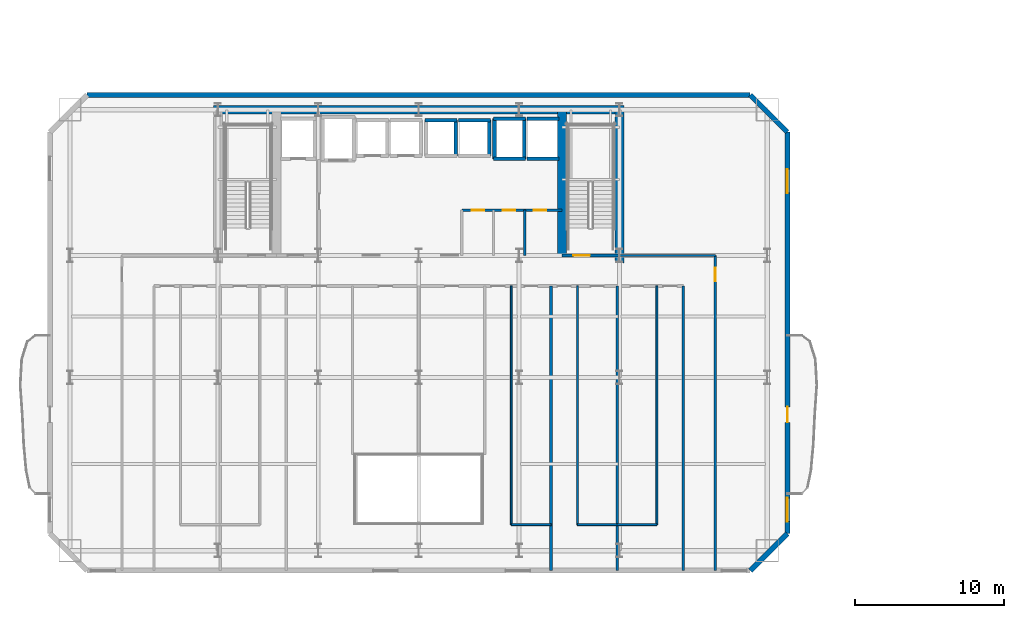
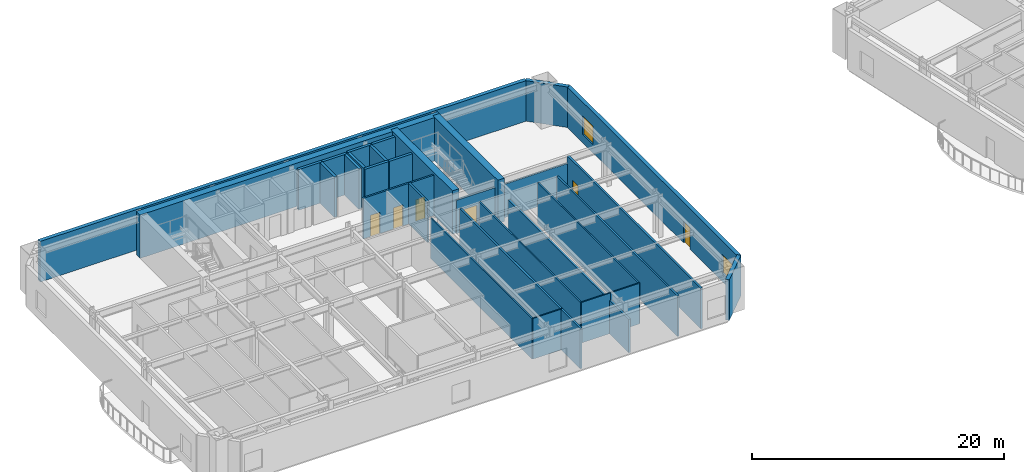
# One storey, part 7 of 15: 31 walls, 6 doors, 2 windows, 8 openings.
"""IFC4 building model written with IfcOpenShell, lengths in metres."""

import ifcopenshell
import ifcopenshell.guid

model = None  # the IFC model being written
_history = None  # IfcOwnerHistory: only IFC2X3 demands one
_inside = {}  # id of a spatial element -> (the spatial element, [elements in it])
_under = {}  # id of a project, library or spatial element -> (it, [spatial elements below it])
_declared = {}  # id of a project -> (the project, [libraries it declares])
_typed = {}  # id of a type object -> (the type object, [elements of that type])
_made_of = {}  # id of a material, layer set ... -> (it, [elements and type objects made of it])


def new_model(schema):
    """Start an empty IFC model of exactly this schema.

    Asked for "IFC4X3", IfcOpenShell would pick the latest addendum, in which some entities
    have other attributes; the version numbers below select the first issue.
    IFC2X3 requires an IfcOwnerHistory on every rooted entity: one is made here for all.
    """
    global model, _history
    if schema == "IFC4X3":
        model = ifcopenshell.file(schema_version=(4, 3, 0, 0))
    else:
        model = ifcopenshell.file(schema=schema)
    _inside.clear()
    _under.clear()
    _declared.clear()
    _typed.clear()
    _made_of.clear()
    _history = None
    if model.schema == "IFC2X3":
        org = make("IfcOrganization", Name="unknown")
        user = make(
            "IfcPersonAndOrganization",
            ThePerson=make("IfcPerson", FamilyName="unknown"),
            TheOrganization=org,
        )
        app = make(
            "IfcApplication",
            ApplicationDeveloper=org,
            Version="unknown",
            ApplicationFullName="unknown",
            ApplicationIdentifier="unknown",
        )
        _history = make(
            "IfcOwnerHistory",
            OwningUser=user,
            OwningApplication=app,
            ChangeAction="ADDED",
            CreationDate=0,
        )
    return model


def make(cls, **values):
    """One entity of the class cls with the attributes given. An attribute that is None is left unset."""
    return model.create_entity(
        cls, **{name: value for name, value in values.items() if value is not None}
    )


def rooted(cls, **values):
    """An entity with a GlobalId (a new one), such as an element, a storey or a relation."""
    return make(cls, GlobalId=ifcopenshell.guid.new(), OwnerHistory=_history, **values)


def si_unit(unit_type, name, prefix=None):
    """IfcSIUnit, for example si_unit("LENGTHUNIT", "METRE", prefix="MILLI")."""
    return make("IfcSIUnit", UnitType=unit_type, Prefix=prefix, Name=name)


def assignment(units):
    """IfcUnitAssignment: the units of a project."""
    return None if units is None else make("IfcUnitAssignment", Units=units)


def point(xyz):
    """IfcCartesianPoint."""
    return None if xyz is None else make("IfcCartesianPoint", Coordinates=xyz)


def direction(xyz):
    """IfcDirection."""
    return None if xyz is None else make("IfcDirection", DirectionRatios=xyz)


def frame(location, z_axis=None, x_axis=None):
    """IfcAxis2Placement3D, a coordinate frame: its origin and axes. An axis left out is left unset."""
    return make(
        "IfcAxis2Placement3D",
        Location=point(location),
        Axis=direction(z_axis),
        RefDirection=direction(x_axis),
    )


def frame_2d(location, x_axis=None):
    """IfcAxis2Placement2D, a coordinate frame in the plane: its origin and x axis."""
    return make(
        "IfcAxis2Placement2D", Location=point(location), RefDirection=direction(x_axis)
    )


def origin():
    """The frame at (0, 0, 0) with its axes left unset."""
    return frame((0.0, 0.0, 0.0))


def place(relative_to, where):
    """IfcLocalPlacement: puts the frame where relative to a parent placement (None: the world)."""
    return make(
        "IfcLocalPlacement", PlacementRelTo=relative_to, RelativePlacement=where
    )


def context(
    kind, dimensions, precision=None, world=None, true_north=None, identifier=None
):
    """IfcGeometricRepresentationContext, for example the 3D "Model" context."""
    return make(
        "IfcGeometricRepresentationContext",
        ContextIdentifier=identifier,
        ContextType=kind,
        CoordinateSpaceDimension=dimensions,
        Precision=precision,
        WorldCoordinateSystem=world,
        TrueNorth=true_north,
    )


def subcontext(parent, identifier, kind, view, scale=None):
    """IfcGeometricRepresentationSubContext, for example "Body" below "Model"."""
    return make(
        "IfcGeometricRepresentationSubContext",
        ContextIdentifier=identifier,
        ContextType=kind,
        ParentContext=parent,
        TargetScale=scale,
        TargetView=view,
    )


def project(units=None, contexts=None):
    """IfcProject with its units and contexts."""
    return rooted(
        "IfcProject",
        Name="project",
        RepresentationContexts=contexts,
        UnitsInContext=assignment(units),
    )


def spatial(cls, under=None, at=None, **own):
    """A site, building, storey or space (cls), placed at a placement, below another one or the project."""
    s = rooted(cls, ObjectPlacement=at, **own)
    if under is not None:
        _under.setdefault(under.id(), (under, []))[1].append(s)
    return s


def profile(cls, at=None, kind="AREA", **sizes):
    """A parametric profile (cls). Its sizes go by their IFC names, for example OverallWidth=200.0."""
    return make(cls, ProfileType=kind, Position=at, **sizes)


def rectangle(**sizes):
    """IfcRectangleProfileDef."""
    return profile("IfcRectangleProfileDef", **sizes)


def extrude(swept, where, along, depth):
    """IfcExtrudedAreaSolid: the profile swept, set in the frame where, extruded along a direction by depth."""
    return make(
        "IfcExtrudedAreaSolid",
        SweptArea=swept,
        Position=where,
        ExtrudedDirection=direction(along),
        Depth=depth,
    )


def shape(context_of_items, identifier, shape_type, items):
    """IfcShapeRepresentation: the items that make up one representation, for example the "Body"."""
    return make(
        "IfcShapeRepresentation",
        ContextOfItems=context_of_items,
        RepresentationIdentifier=identifier,
        RepresentationType=shape_type,
        Items=items,
    )


def material(Name=None, Category=None):
    """IfcMaterial."""
    return make("IfcMaterial", Name=Name, Category=Category)


def layer(
    of_material, thickness, ventilated=None, Name=None, Category=None, Priority=None
):
    """IfcMaterialLayer: one layer of a wall or slab, of a material (None: an air gap)."""
    return make(
        "IfcMaterialLayer",
        Material=of_material,
        LayerThickness=thickness,
        IsVentilated=ventilated,
        Name=Name,
        Category=Category,
        Priority=Priority,
    )


def layer_set(layers, Name=None):
    """IfcMaterialLayerSet."""
    return make("IfcMaterialLayerSet", MaterialLayers=layers, LayerSetName=Name)


def made_of(thing, what):
    """Note that an element or type object is made of a material, layer set ...; save() writes the relation."""
    if what is not None:
        _made_of.setdefault(what.id(), (what, []))[1].append(thing)
    return thing


def type_object(cls, material=None, **own):
    """A type object (cls), such as IfcWallType, which elements share."""
    return made_of(rooted(cls, **own), material)


def element(
    cls,
    number,
    at=None,
    inside=None,
    cuts=None,
    type_object=None,
    material=None,
    context=None,
    identifier="Body",
    shape_type=None,
    held_by="IfcProductDefinitionShape",
    body=None,
    shapes=None,
    **own,
):
    """One element of the class cls, such as IfcWall. Its Tag is "e" and its number.

    at: its placement. inside: the storey or other place that contains it. cuts: it is an
    opening in that element (IfcRelVoidsElement). A single representation is given by context,
    identifier, shape_type and body (its items); several are given by shapes. held_by: the class
    of the entity that holds the representations. save() writes the other relations.
    """
    e = rooted(cls, Tag="e%d" % number, ObjectPlacement=at, **own)
    if body is not None:
        shapes = [shape(context, identifier, shape_type, body)]
    if shapes is not None:
        e.Representation = make(held_by, Representations=shapes)
    if inside is not None:
        _inside.setdefault(inside.id(), (inside, []))[1].append(e)
    if cuts is not None:
        rooted(
            "IfcRelVoidsElement", RelatingBuildingElement=cuts, RelatedOpeningElement=e
        )
    if type_object is not None:
        _typed.setdefault(type_object.id(), (type_object, []))[1].append(e)
    return made_of(e, material)


def fill(opening, filler):
    """IfcRelFillsElement: the door or window that sits in an opening."""
    return rooted(
        "IfcRelFillsElement",
        RelatingOpeningElement=opening,
        RelatedBuildingElement=filler,
    )


def aggregate(whole, parts):
    """IfcRelAggregates: a whole, such as a stair, and the parts it consists of."""
    return rooted("IfcRelAggregates", RelatingObject=whole, RelatedObjects=parts)


def save(model, path):
    """Write the relations noted so far, then the file.

    IfcRelAggregates (storeys below a building ...), IfcRelContainedInSpatialStructure (elements
    in a storey), IfcRelDefinesByType, IfcRelAssociatesMaterial and IfcRelDeclares: one each for
    every whole, place, type object, material and project.
    """
    for whole, parts in _under.values():
        aggregate(whole, parts)
    for where, things in _inside.values():
        rooted(
            "IfcRelContainedInSpatialStructure",
            RelatedElements=things,
            RelatingStructure=where,
        )
    for kind, things in _typed.values():
        rooted("IfcRelDefinesByType", RelatedObjects=things, RelatingType=kind)
    for what, things in _made_of.values():
        rooted("IfcRelAssociatesMaterial", RelatedObjects=things, RelatingMaterial=what)
    for by, libraries in _declared.values():
        rooted("IfcRelDeclares", RelatingContext=by, RelatedDefinitions=libraries)
    model.write(path)


model = new_model("IFC4")

# Units and contexts
model_context = context("Model", 3, precision=1e-05, world=origin(), true_north=direction((0.0, 1.0)))
body_context = subcontext(model_context, "Body", "Model", "MODEL_VIEW")
ifc_project = project(units=[si_unit("LENGTHUNIT", "METRE"), si_unit("AREAUNIT", "SQUARE_METRE"), si_unit("VOLUMEUNIT", "CUBIC_METRE"), si_unit("PLANEANGLEUNIT", "RADIAN"), si_unit("MASSUNIT", "GRAM", prefix="KILO")], contexts=[model_context])

# Site, building, storey
site_placement = place(None, origin())
site = spatial("IfcSite", under=ifc_project, at=site_placement, CompositionType="ELEMENT")
building_placement = place(site_placement, origin())
building = spatial("IfcBuilding", under=site, at=building_placement, Name="Haevon Station Towers", CompositionType="ELEMENT")
storey_placement = place(building_placement, frame((0.0, 0.0, 73.5)))
storey = spatial("IfcBuildingStorey", under=building, at=storey_placement, Name="L19", CompositionType="ELEMENT", Elevation=73.5)

# Wall, opening, door
ifc_material_1 = material(Name="Gypsum board on steel stud", Category="steel")
ifc_layer_1 = layer(ifc_material_1, 0.179931640625)
ifc_layer_set_1 = layer_set([ifc_layer_1], Name="Gypsum board on steel stud")
wall_type_1 = type_object("IfcWallType", Name="WL-ACU180", PredefinedType="PARTITIONING", material=ifc_layer_set_1)
wall_1_placement = place(storey_placement, frame((57.449951171875, 17.0, 0.0), z_axis=(0.0, 0.0, 1.0), x_axis=(0.0, 1.0, 0.0)))
wall_1 = element("IfcWall", 1, at=wall_1_placement, inside=storey, type_object=wall_type_1, Name="WL-T1PT-L19-06", PredefinedType="PARTITIONING", context=body_context, shape_type="SweptSolid", body=[
    extrude(rectangle(XDim=21.199951171875, YDim=0.179931640625, at=frame_2d((10.60009765625, 0.0))), origin(), (0.0, 0.0, 1.0), 3.929931640625),
])
opening_1_placement = place(wall_1_placement, frame((19.469970703125, 0.0, 0.0)))
opening_1 = element("IfcOpeningElement", 2, at=opening_1_placement, cuts=wall_1, Name="Opening DR-WL-T1PT-L19-06-01", PredefinedType="OPENING", context=body_context, shape_type="SweptSolid", body=[
    extrude(rectangle(XDim=0.89990234375, YDim=2.050048828125, at=frame_2d((0.449951171875, 1.02490234375))), frame((0.0, 0.099853515625, 0.0), z_axis=(0.0, -1.0, 0.0), x_axis=(1.0, 0.0, 0.0)), (0.0, 0.0, 1.0), 0.199951171875),
])
ifc_material_2 = material(Name="Engineered oak timber", Category="wood")
door_type_1 = type_object("IfcDoorType", Name="DR-INT-900", OperationType="NOTDEFINED", PredefinedType="DOOR", material=ifc_material_2)
door_1_placement = place(opening_1_placement, origin())
door_1 = element("IfcDoor", 3, at=door_1_placement, inside=storey, type_object=door_type_1, Name="L19 Tower 1 Room Door 6-1", OperationType="SINGLE_SWING_LEFT", OverallHeight=2.050048828125, OverallWidth=0.89990234375, PredefinedType="DOOR", context=body_context, shape_type="SweptSolid", body=[
    extrude(rectangle(XDim=0.89990234375, YDim=2.050048828125, at=frame_2d((0.449951171875, 1.02490234375))), frame((0.0, 0.02490234375, 0.0), z_axis=(0.0, -1.0, 0.0), x_axis=(1.0, 0.0, 0.0)), (0.0, 0.0, 1.0), 0.050048828125),
])
fill(opening_1, door_1)

# Walls
wall_2_placement = place(storey_placement, frame((46.39990234375, 17.0, 0.0), z_axis=(0.0, 0.0, 1.0), x_axis=(0.0, 1.0, 0.0)))
element("IfcWall", 4, at=wall_2_placement, inside=storey, type_object=wall_type_1, Name="WL-T1PT-L19-24", PredefinedType="PARTITIONING", context=body_context, shape_type="SweptSolid", body=[
    extrude(rectangle(XDim=19.14990234375, YDim=0.179931640625, at=frame_2d((9.574951171875, 0.0))), origin(), (0.0, 0.0, 1.0), 3.929931640625),
])
wall_3_placement = place(storey_placement, frame((50.85009765625, 17.0, 0.0), z_axis=(0.0, 0.0, 1.0), x_axis=(0.0, 1.0, 0.0)))
element("IfcWall", 5, at=wall_3_placement, inside=storey, type_object=wall_type_1, Name="WL-T1PT-L19-27", PredefinedType="PARTITIONING", context=body_context, shape_type="SweptSolid", body=[
    extrude(rectangle(XDim=19.14990234375, YDim=0.179931640625, at=frame_2d((9.574951171875, 0.0))), origin(), (0.0, 0.0, 1.0), 3.22998046875),
])

# Wall, opening, door
ifc_layer_2 = layer(ifc_material_1, 0.199951171875)
ifc_layer_set_2 = layer_set([ifc_layer_2], Name="Gypsum board on steel stud")
wall_type_2 = type_object("IfcWallType", Name="WL-COR200", PredefinedType="PARTITIONING", material=ifc_layer_set_2)
wall_4_placement = place(storey_placement, frame((47.14990234375, 38.199951171875, 0.0), z_axis=(0.0, 0.0, 1.0), x_axis=(1.0, 0.0, 0.0)))
wall_4 = element("IfcWall", 6, at=wall_4_placement, inside=storey, type_object=wall_type_2, Name="WL-ST-ST2-L19", PredefinedType="PARTITIONING", context=body_context, shape_type="SweptSolid", body=[
    extrude(rectangle(XDim=3.85009765625, YDim=0.199951171875, at=frame_2d((1.925048828125, 0.0))), origin(), (0.0, 0.0, 1.0), 3.22998046875),
])
opening_2_placement = place(wall_4_placement, frame((0.75, 0.0, 0.0)))
opening_2 = element("IfcOpeningElement", 7, at=opening_2_placement, cuts=wall_4, Name="Opening DR-ST-ST2-L19", PredefinedType="OPENING", context=body_context, shape_type="SweptSolid", body=[
    extrude(rectangle(XDim=1.1201171875, YDim=2.10009765625, at=frame_2d((0.56005859375, 1.050048828125))), frame((0.0, 0.10986328125, 0.0), z_axis=(0.0, -1.0, 0.0), x_axis=(1.0, 0.0, 0.0)), (0.0, 0.0, 1.0), 0.219970703125),
])
door_type_2 = type_object("IfcDoorType", Name="DR-ST-1120", OperationType="NOTDEFINED", PredefinedType="DOOR", material=ifc_material_2)
door_2_placement = place(opening_2_placement, origin())
door_2 = element("IfcDoor", 8, at=door_2_placement, inside=storey, type_object=door_type_2, Name="L19 Escape Stair ST2 Fire Door", OperationType="SINGLE_SWING_RIGHT", OverallHeight=2.10009765625, OverallWidth=1.1201171875, PredefinedType="DOOR", context=body_context, shape_type="SweptSolid", body=[
    extrude(rectangle(XDim=1.1201171875, YDim=2.10009765625, at=frame_2d((0.56005859375, 1.050048828125))), frame((0.0, 0.02490234375, 0.0), z_axis=(0.0, -1.0, 0.0), x_axis=(1.0, 0.0, 0.0)), (0.0, 0.0, 1.0), 0.050048828125),
])
fill(opening_2, door_2)

# Walls
ifc_material_3 = material(Name="Concrete C60/75", Category="concrete")
ifc_layer_3 = layer(ifc_material_3, 0.60009765625)
ifc_layer_set_3 = layer_set([ifc_layer_3], Name="Concrete C60/75")
wall_type_3 = type_object("IfcWallType", Name="WL-CR600", PredefinedType="SHEAR", material=ifc_layer_set_3)
wall_5_placement = place(storey_placement, frame((23.699951171875, 48.0, 0.0), z_axis=(0.0, 0.0, 1.0), x_axis=(1.0, 0.0, 0.0)))
element("IfcWall", 9, at=wall_5_placement, inside=storey, type_object=wall_type_3, Name="WL-T1CR-L19-N", PredefinedType="SHEAR", context=body_context, shape_type="SweptSolid", body=[
    extrude(rectangle(XDim=27.60009765625, YDim=0.60009765625, at=frame_2d((13.800048828125, 0.0))), origin(), (0.0, 0.0, 1.0), 4.199951171875),
])
wall_6_placement = place(storey_placement, frame((51.0, 37.679931640625, 0.0), z_axis=(0.0, 0.0, 1.0), x_axis=(0.0, 1.0, 0.0)))
element("IfcWall", 10, at=wall_6_placement, inside=storey, type_object=wall_type_3, Name="WL-T1CR-L19-E", PredefinedType="SHEAR", context=body_context, shape_type="SweptSolid", body=[
    extrude(rectangle(XDim=10.320068359375, YDim=0.60009765625, at=frame_2d((5.16015625, 0.0))), origin(), (0.0, 0.0, 1.0), 4.199951171875),
])
wall_7_placement = place(storey_placement, frame((47.14990234375, 38.199951171875, 0.0), z_axis=(0.0, 0.0, 1.0), x_axis=(0.0, 1.0, 0.0)))
element("IfcWall", 11, at=wall_7_placement, inside=storey, type_object=wall_type_3, Name="WL-T1CR-L19-M2", PredefinedType="SHEAR", context=body_context, shape_type="SweptSolid", body=[
    extrude(rectangle(XDim=9.800048828125, YDim=0.60009765625, at=frame_2d((4.89990234375, 0.0))), origin(), (0.0, 0.0, 1.0), 4.199951171875),
])
ifc_material_4 = material(Name="Precast concrete C45/55", Category="concrete")
ifc_layer_4 = layer(ifc_material_4, 0.340087890625)
ifc_layer_set_4 = layer_set([ifc_layer_4], Name="Precast concrete C45/55")
wall_type_4 = type_object("IfcWallType", Name="WL-EXT-PIER340", PredefinedType="SOLIDWALL", material=ifc_layer_set_4)
wall_8_placement = place(storey_placement, frame((15.199951171875, 49.0, 0.0), z_axis=(0.0, 0.0, 1.0), x_axis=(1.0, 0.0, 0.0)))
element("IfcWall", 12, at=wall_8_placement, inside=storey, type_object=wall_type_4, Name="WL-T1-L19-N", PredefinedType="SOLIDWALL", context=body_context, shape_type="SweptSolid", body=[
    extrude(rectangle(XDim=44.60009765625, YDim=0.340087890625, at=frame_2d((22.300048828125, 0.0))), origin(), (0.0, 0.0, 1.0), 3.929931640625),
])
wall_9_placement = place(storey_placement, frame((59.800048828125, 49.0, 0.0), z_axis=(0.0, 0.0, 1.0), x_axis=(0.707106781187, -0.707106781187, 0.0)))
element("IfcWall", 13, at=wall_9_placement, inside=storey, type_object=wall_type_4, Name="WL-T1-L19-NEC", PredefinedType="SOLIDWALL", context=body_context, shape_type="SweptSolid", body=[
    extrude(rectangle(XDim=3.53564453125, YDim=0.340087890625, at=frame_2d((1.767822265625, 0.0))), origin(), (0.0, 0.0, 1.0), 3.929931640625),
])

# Wall, openings, door, windows
wall_10_placement = place(storey_placement, frame((62.300048828125, 46.5, 0.0), z_axis=(0.0, 0.0, 1.0), x_axis=(0.0, -1.0, 0.0)))
wall_10 = element("IfcWall", 14, at=wall_10_placement, inside=storey, type_object=wall_type_4, Name="WL-T1-L19-E", PredefinedType="SOLIDWALL", context=body_context, shape_type="SweptSolid", body=[
    extrude(rectangle(XDim=27.0, YDim=0.340087890625, at=frame_2d((13.5, 0.0))), origin(), (0.0, 0.0, 1.0), 3.929931640625),
])
opening_3_placement = place(wall_10_placement, frame((18.47509765625, 0.0, 0.0)))
opening_3 = element("IfcOpeningElement", 15, at=opening_3_placement, cuts=wall_10, Name="Opening DR-T1-SCAL-L19-E", PredefinedType="OPENING", context=body_context, shape_type="SweptSolid", body=[
    extrude(rectangle(XDim=1.050048828125, YDim=2.10009765625, at=frame_2d((0.52490234375, 1.050048828125))), frame((0.0, 0.179931640625, 0.0), z_axis=(0.0, -1.0, 0.0), x_axis=(1.0, 0.0, 0.0)), (0.0, 0.0, 1.0), 0.360107421875),
])
opening_4_placement = place(wall_10_placement, frame((2.5, 0.0, 0.800048828125)))
opening_4 = element("IfcOpeningElement", 16, at=opening_4_placement, cuts=wall_10, Name="Opening WN-END160", PredefinedType="OPENING", context=body_context, shape_type="SweptSolid", body=[
    extrude(rectangle(XDim=1.60009765625, YDim=1.800048828125, at=frame_2d((0.800048828125, 0.89990234375))), frame((0.0, 0.179931640625, 0.0), z_axis=(0.0, -1.0, 0.0), x_axis=(1.0, 0.0, 0.0)), (0.0, 0.0, 1.0), 0.360107421875),
])
opening_5_placement = place(wall_10_placement, frame((24.60009765625, 0.0, 0.800048828125)))
opening_5 = element("IfcOpeningElement", 17, at=opening_5_placement, cuts=wall_10, Name="Opening WN-END160", PredefinedType="OPENING", context=body_context, shape_type="SweptSolid", body=[
    extrude(rectangle(XDim=1.60009765625, YDim=1.800048828125, at=frame_2d((0.800048828125, 0.89990234375))), frame((0.0, 0.179931640625, 0.0), z_axis=(0.0, -1.0, 0.0), x_axis=(1.0, 0.0, 0.0)), (0.0, 0.0, 1.0), 0.360107421875),
])
ifc_material_5 = material(Name="Thermally broken anodised aluminium and laminated safety glass", Category="aluminium")
door_type_3 = type_object("IfcDoorType", Name="DR-BALC-1050", OperationType="NOTDEFINED", PredefinedType="DOOR", material=ifc_material_5)
door_3_placement = place(opening_3_placement, origin())
door_3 = element("IfcDoor", 18, at=door_3_placement, inside=storey, type_object=door_type_3, Name="Tower 1 L19 East Scalloped Balcony Door", OperationType="SINGLE_SWING_LEFT", OverallHeight=2.10009765625, OverallWidth=1.050048828125, PredefinedType="DOOR", context=body_context, shape_type="SweptSolid", body=[
    extrude(rectangle(XDim=1.050048828125, YDim=2.10009765625, at=frame_2d((0.52490234375, 1.050048828125))), frame((0.0, 0.02490234375, 0.0), z_axis=(0.0, -1.0, 0.0), x_axis=(1.0, 0.0, 0.0)), (0.0, 0.0, 1.0), 0.050048828125),
])
fill(opening_3, door_3)
ifc_material_6 = material(Name="Low-E triple glazing in thermally broken aluminium", Category="aluminium")
window_type = type_object("IfcWindowType", Name="WN-END160", PartitioningType="SINGLE_PANEL", PredefinedType="WINDOW", material=ifc_material_6)
window_1_placement = place(opening_4_placement, origin())
window_1 = element("IfcWindow", 19, at=window_1_placement, inside=storey, type_object=window_type, Name="WN-T1-L19-E01", OverallHeight=1.800048828125, OverallWidth=1.60009765625, PartitioningType="SINGLE_PANEL", PredefinedType="WINDOW", context=body_context, shape_type="SweptSolid", body=[
    extrude(rectangle(XDim=1.60009765625, YDim=1.800048828125, at=frame_2d((0.800048828125, 0.89990234375))), frame((0.0, 0.030029296875, 0.0), z_axis=(0.0, -1.0, 0.0), x_axis=(1.0, 0.0, 0.0)), (0.0, 0.0, 1.0), 0.06005859375),
])
fill(opening_4, window_1)
window_2_placement = place(opening_5_placement, origin())
window_2 = element("IfcWindow", 20, at=window_2_placement, inside=storey, type_object=window_type, Name="WN-T1-L19-E02", OverallHeight=1.800048828125, OverallWidth=1.60009765625, PartitioningType="SINGLE_PANEL", PredefinedType="WINDOW", context=body_context, shape_type="SweptSolid", body=[
    extrude(rectangle(XDim=1.60009765625, YDim=1.800048828125, at=frame_2d((0.800048828125, 0.89990234375))), frame((0.0, 0.030029296875, 0.0), z_axis=(0.0, -1.0, 0.0), x_axis=(1.0, 0.0, 0.0)), (0.0, 0.0, 1.0), 0.06005859375),
])
fill(opening_5, window_2)

# Walls
wall_11_placement = place(storey_placement, frame((62.300048828125, 19.5, 0.0), z_axis=(0.0, 0.0, 1.0), x_axis=(-0.707106781187, -0.707106781187, 0.0)))
element("IfcWall", 21, at=wall_11_placement, inside=storey, type_object=wall_type_4, Name="WL-T1-L19-SEC", PredefinedType="SOLIDWALL", context=body_context, shape_type="SweptSolid", body=[
    extrude(rectangle(XDim=3.53564453125, YDim=0.340087890625, at=frame_2d((1.767822265625, 0.0))), origin(), (0.0, 0.0, 1.0), 3.929931640625),
])
ifc_layer_5 = layer(ifc_material_1, 0.125)
ifc_layer_set_5 = layer_set([ifc_layer_5], Name="Gypsum board on steel stud")
wall_type_5 = type_object("IfcWallType", Name="WL-PRT125", PredefinedType="PARTITIONING", material=ifc_layer_set_5)
wall_12_placement = place(storey_placement, frame((43.72998046875, 20.10009765625, 0.0), z_axis=(0.0, 0.0, 1.0), x_axis=(1.0, 0.0, 0.0)))
element("IfcWall", 22, at=wall_12_placement, inside=storey, type_object=wall_type_5, Name="WL-T1PT-L19-22", PredefinedType="PARTITIONING", context=body_context, shape_type="SweptSolid", body=[
    extrude(rectangle(XDim=2.669921875, YDim=0.125, at=frame_2d((1.3349609375, 0.0))), origin(), (0.0, 0.0, 1.0), 3.929931640625),
])
wall_13_placement = place(storey_placement, frame((43.72998046875, 20.10009765625, 0.0), z_axis=(0.0, 0.0, 1.0), x_axis=(0.0, 1.0, 0.0)))
element("IfcWall", 23, at=wall_13_placement, inside=storey, type_object=wall_type_5, Name="WL-T1PT-L19-23", PredefinedType="PARTITIONING", context=body_context, shape_type="SweptSolid", body=[
    extrude(rectangle(XDim=16.0498046875, YDim=0.125, at=frame_2d((8.02490234375, 0.0))), origin(), (0.0, 0.0, 1.0), 3.929931640625),
])
wall_14_placement = place(storey_placement, frame((48.179931640625, 20.10009765625, 0.0), z_axis=(0.0, 0.0, 1.0), x_axis=(1.0, 0.0, 0.0)))
element("IfcWall", 24, at=wall_14_placement, inside=storey, type_object=wall_type_5, Name="WL-T1PT-L19-25", PredefinedType="PARTITIONING", context=body_context, shape_type="SweptSolid", body=[
    extrude(rectangle(XDim=2.670166015625, YDim=0.125, at=frame_2d((1.3349609375, 0.0))), origin(), (0.0, 0.0, 1.0), 3.929931640625),
])
wall_15_placement = place(storey_placement, frame((48.179931640625, 20.10009765625, 0.0), z_axis=(0.0, 0.0, 1.0), x_axis=(0.0, 1.0, 0.0)))
element("IfcWall", 25, at=wall_15_placement, inside=storey, type_object=wall_type_5, Name="WL-T1PT-L19-26", PredefinedType="PARTITIONING", context=body_context, shape_type="SweptSolid", body=[
    extrude(rectangle(XDim=16.0498046875, YDim=0.125, at=frame_2d((8.02490234375, 0.0))), origin(), (0.0, 0.0, 1.0), 3.929931640625),
])
wall_16_placement = place(storey_placement, frame((50.85009765625, 20.10009765625, 0.0), z_axis=(0.0, 0.0, 1.0), x_axis=(1.0, 0.0, 0.0)))
element("IfcWall", 26, at=wall_16_placement, inside=storey, type_object=wall_type_5, Name="WL-T1PT-L19-28", PredefinedType="PARTITIONING", context=body_context, shape_type="SweptSolid", body=[
    extrude(rectangle(XDim=2.669921875, YDim=0.125, at=frame_2d((1.3349609375, 0.0))), origin(), (0.0, 0.0, 1.0), 3.929931640625),
])
wall_17_placement = place(storey_placement, frame((53.52001953125, 20.10009765625, 0.0), z_axis=(0.0, 0.0, 1.0), x_axis=(0.0, 1.0, 0.0)))
element("IfcWall", 27, at=wall_17_placement, inside=storey, type_object=wall_type_5, Name="WL-T1PT-L19-29", PredefinedType="PARTITIONING", context=body_context, shape_type="SweptSolid", body=[
    extrude(rectangle(XDim=16.0498046875, YDim=0.125, at=frame_2d((8.02490234375, 0.0))), origin(), (0.0, 0.0, 1.0), 3.929931640625),
])
ifc_layer_6 = layer(ifc_material_1, 0.159912109375)
ifc_layer_set_6 = layer_set([ifc_layer_6], Name="Gypsum board on steel stud")
wall_type_6 = type_object("IfcWallType", Name="WL-PRT160", PredefinedType="PARTITIONING", material=ifc_layer_set_6)
wall_18_placement = place(storey_placement, frame((44.6298828125, 38.199951171875, 0.0), z_axis=(0.0, 0.0, 1.0), x_axis=(0.0, 1.0, 0.0)))
element("IfcWall", 28, at=wall_18_placement, inside=storey, type_object=wall_type_6, Name="WL-T1CW-L19-03", PredefinedType="PARTITIONING", context=body_context, shape_type="SweptSolid", body=[
    extrude(rectangle(XDim=3.050048828125, YDim=0.159912109375, at=frame_2d((1.52490234375, 0.0))), origin(), (0.0, 0.0, 1.0), 3.929931640625),
])

# Wall, openings, doors
wall_19_placement = place(storey_placement, frame((40.39990234375, 41.25, 0.0), z_axis=(0.0, 0.0, 1.0), x_axis=(1.0, 0.0, 0.0)))
wall_19 = element("IfcWall", 29, at=wall_19_placement, inside=storey, type_object=wall_type_6, Name="WL-T1CW-L19-04", PredefinedType="PARTITIONING", context=body_context, shape_type="SweptSolid", body=[
    extrude(rectangle(XDim=6.75, YDim=0.159912109375, at=frame_2d((3.375, 0.0))), origin(), (0.0, 0.0, 1.0), 3.929931640625),
])
opening_6_placement = place(wall_19_placement, frame((0.659912109375, 0.0, 0.0)))
opening_6 = element("IfcOpeningElement", 30, at=opening_6_placement, cuts=wall_19, Name="Opening DR-WL-T1CW-L19-04-1", PredefinedType="OPENING", context=body_context, shape_type="SweptSolid", body=[
    extrude(rectangle(XDim=0.85009765625, YDim=2.050048828125, at=frame_2d((0.425048828125, 1.02490234375))), frame((0.0, 0.08984375, 0.0), z_axis=(0.0, -1.0, 0.0), x_axis=(1.0, 0.0, 0.0)), (0.0, 0.0, 1.0), 0.179931640625),
])
opening_7_placement = place(wall_19_placement, frame((2.7548828125, 0.0, 0.0)))
opening_7 = element("IfcOpeningElement", 31, at=opening_7_placement, cuts=wall_19, Name="Opening DR-WL-T1CW-L19-04-2", PredefinedType="OPENING", context=body_context, shape_type="SweptSolid", body=[
    extrude(rectangle(XDim=0.85009765625, YDim=2.050048828125, at=frame_2d((0.425048828125, 1.02490234375))), frame((0.0, 0.08984375, 0.0), z_axis=(0.0, -1.0, 0.0), x_axis=(1.0, 0.0, 0.0)), (0.0, 0.0, 1.0), 0.179931640625),
])
opening_8_placement = place(wall_19_placement, frame((4.830078125, 0.0, 0.0)))
opening_8 = element("IfcOpeningElement", 32, at=opening_8_placement, cuts=wall_19, Name="Opening DR-WL-T1CW-L19-04-3", PredefinedType="OPENING", context=body_context, shape_type="SweptSolid", body=[
    extrude(rectangle(XDim=0.85009765625, YDim=2.050048828125, at=frame_2d((0.425048828125, 1.02490234375))), frame((0.0, 0.08984375, 0.0), z_axis=(0.0, -1.0, 0.0), x_axis=(1.0, 0.0, 0.0)), (0.0, 0.0, 1.0), 0.179931640625),
])
door_type_4 = type_object("IfcDoorType", Name="DR-FD30-850", OperationType="NOTDEFINED", PredefinedType="DOOR", material=ifc_material_2)
door_4_placement = place(opening_6_placement, origin())
door_4 = element("IfcDoor", 33, at=door_4_placement, inside=storey, type_object=door_type_4, Name="L19 Tower 1 Core Room Door 4-1", OperationType="SINGLE_SWING_LEFT", OverallHeight=2.050048828125, OverallWidth=0.85009765625, PredefinedType="DOOR", context=body_context, shape_type="SweptSolid", body=[
    extrude(rectangle(XDim=0.85009765625, YDim=2.050048828125, at=frame_2d((0.425048828125, 1.02490234375))), frame((0.0, 0.02490234375, 0.0), z_axis=(0.0, -1.0, 0.0), x_axis=(1.0, 0.0, 0.0)), (0.0, 0.0, 1.0), 0.050048828125),
])
fill(opening_6, door_4)
door_5_placement = place(opening_7_placement, origin())
door_5 = element("IfcDoor", 34, at=door_5_placement, inside=storey, type_object=door_type_4, Name="L19 Tower 1 Core Room Door 4-2", OperationType="SINGLE_SWING_RIGHT", OverallHeight=2.050048828125, OverallWidth=0.85009765625, PredefinedType="DOOR", context=body_context, shape_type="SweptSolid", body=[
    extrude(rectangle(XDim=0.85009765625, YDim=2.050048828125, at=frame_2d((0.425048828125, 1.02490234375))), frame((0.0, 0.02490234375, 0.0), z_axis=(0.0, -1.0, 0.0), x_axis=(1.0, 0.0, 0.0)), (0.0, 0.0, 1.0), 0.050048828125),
])
fill(opening_7, door_5)
door_6_placement = place(opening_8_placement, origin())
door_6 = element("IfcDoor", 35, at=door_6_placement, inside=storey, type_object=door_type_4, Name="L19 Tower 1 Core Room Door 4-3", OperationType="SINGLE_SWING_LEFT", OverallHeight=2.050048828125, OverallWidth=0.85009765625, PredefinedType="DOOR", context=body_context, shape_type="SweptSolid", body=[
    extrude(rectangle(XDim=0.85009765625, YDim=2.050048828125, at=frame_2d((0.425048828125, 1.02490234375))), frame((0.0, 0.02490234375, 0.0), z_axis=(0.0, -1.0, 0.0), x_axis=(1.0, 0.0, 0.0)), (0.0, 0.0, 1.0), 0.050048828125),
])
fill(opening_8, door_6)

# Walls
wall_20_placement = place(storey_placement, frame((55.300048828125, 17.0, 0.0), z_axis=(0.0, 0.0, 1.0), x_axis=(0.0, 1.0, 0.0)))
element("IfcWall", 36, at=wall_20_placement, inside=storey, type_object=wall_type_6, Name="WL-T1PT-L19-02", PredefinedType="PARTITIONING", context=body_context, shape_type="SweptSolid", body=[
    extrude(rectangle(XDim=19.14990234375, YDim=0.159912109375, at=frame_2d((9.574951171875, 0.0))), origin(), (0.0, 0.0, 1.0), 3.929931640625),
])
wall_21_placement = place(storey_placement, frame((51.0, 38.199951171875, 0.0), z_axis=(0.0, 0.0, 1.0), x_axis=(1.0, 0.0, 0.0)))
element("IfcWall", 37, at=wall_21_placement, inside=storey, type_object=wall_type_6, Name="WL-T1PT-L19-04", PredefinedType="PARTITIONING", context=body_context, shape_type="SweptSolid", body=[
    extrude(rectangle(XDim=6.449951171875, YDim=0.159912109375, at=frame_2d((3.22509765625, 0.0))), origin(), (0.0, 0.0, 1.0), 3.22998046875),
])
ifc_material_7 = material(Name="Concrete C40/50", Category="concrete")
ifc_layer_7 = layer(ifc_material_7, 0.239990234375)
ifc_layer_set_7 = layer_set([ifc_layer_7], Name="Concrete C40/50")
wall_type_7 = type_object("IfcWallType", Name="WL-SHF240", PredefinedType="PARTITIONING", material=ifc_layer_set_7)
wall_22_placement = place(storey_placement, frame((37.919921875, 47.300048828125, 0.0), z_axis=(0.0, 0.0, 1.0), x_axis=(1.0, 0.0, 0.0)))
element("IfcWall", 38, at=wall_22_placement, inside=storey, type_object=wall_type_7, Name="WL-SHF-PL3-L19-N", PredefinedType="PARTITIONING", context=body_context, shape_type="SweptSolid", body=[
    extrude(rectangle(XDim=2.16015625, YDim=0.239990234375, at=frame_2d((1.080078125, 0.0))), origin(), (0.0, 0.0, 1.0), 3.929931640625),
])
wall_23_placement = place(storey_placement, frame((40.0, 44.89990234375, 0.0), z_axis=(0.0, 0.0, 1.0), x_axis=(0.0, 1.0, 0.0)))
element("IfcWall", 39, at=wall_23_placement, inside=storey, type_object=wall_type_7, Name="WL-SHF-PL3-L19-E", PredefinedType="PARTITIONING", context=body_context, shape_type="SweptSolid", body=[
    extrude(rectangle(XDim=2.400146484375, YDim=0.239990234375, at=frame_2d((1.2001953125, 0.0))), origin(), (0.0, 0.0, 1.0), 3.929931640625),
])
wall_24_placement = place(storey_placement, frame((40.169921875, 47.300048828125, 0.0), z_axis=(0.0, 0.0, 1.0), x_axis=(1.0, 0.0, 0.0)))
element("IfcWall", 40, at=wall_24_placement, inside=storey, type_object=wall_type_7, Name="WL-SHF-PL4-L19-N", PredefinedType="PARTITIONING", context=body_context, shape_type="SweptSolid", body=[
    extrude(rectangle(XDim=2.16015625, YDim=0.239990234375, at=frame_2d((1.080078125, 0.0))), origin(), (0.0, 0.0, 1.0), 3.929931640625),
])
wall_25_placement = place(storey_placement, frame((42.25, 44.89990234375, 0.0), z_axis=(0.0, 0.0, 1.0), x_axis=(0.0, 1.0, 0.0)))
element("IfcWall", 41, at=wall_25_placement, inside=storey, type_object=wall_type_7, Name="WL-SHF-PL4-L19-E", PredefinedType="PARTITIONING", context=body_context, shape_type="SweptSolid", body=[
    extrude(rectangle(XDim=2.400146484375, YDim=0.239990234375, at=frame_2d((1.2001953125, 0.0))), origin(), (0.0, 0.0, 1.0), 3.929931640625),
])
for number, where, z_axis, x_axis, name in (
    (42, (42.52001953125, 44.699951171875, 0.0), (0.0, 0.0, 1.0), (1.0, 0.0, 0.0), "WL-SHF-PL5-L19"),
    (43, (42.52001953125, 47.39990234375, 0.0), (0.0, 0.0, 1.0), (1.0, 0.0, 0.0), "WL-SHF-PL5-L19-N"),
):
    element("IfcWall", number, at=place(storey_placement, frame(where, z_axis=z_axis, x_axis=x_axis)), inside=storey, type_object=wall_type_7, Name=name, PredefinedType="PARTITIONING", context=body_context, shape_type="SweptSolid", body=[
        extrude(rectangle(XDim=2.159912109375, YDim=0.239990234375, at=frame_2d((1.080078125, 0.0))), origin(), (0.0, 0.0, 1.0), 3.929931640625),
    ])
for number, where, z_axis, x_axis, name in (
    (44, (42.60009765625, 44.699951171875, 0.0), (0.0, 0.0, 1.0), (0.0, 1.0, 0.0), "WL-SHF-PL5-L19-W"),
    (45, (44.60009765625, 44.699951171875, 0.0), (0.0, 0.0, 1.0), (0.0, 1.0, 0.0), "WL-SHF-PL5-L19-E"),
):
    element("IfcWall", number, at=place(storey_placement, frame(where, z_axis=z_axis, x_axis=x_axis)), inside=storey, type_object=wall_type_7, Name=name, PredefinedType="PARTITIONING", context=body_context, shape_type="SweptSolid", body=[
        extrude(rectangle(XDim=2.699951171875, YDim=0.239990234375, at=frame_2d((1.35009765625, 0.0))), origin(), (0.0, 0.0, 1.0), 3.929931640625),
    ])
for number, where, z_axis, x_axis, name in (
    (46, (44.77001953125, 44.699951171875, 0.0), (0.0, 0.0, 1.0), (1.0, 0.0, 0.0), "WL-SHF-PL6-L19"),
    (47, (44.77001953125, 47.39990234375, 0.0), (0.0, 0.0, 1.0), (1.0, 0.0, 0.0), "WL-SHF-PL6-L19-N"),
):
    element("IfcWall", number, at=place(storey_placement, frame(where, z_axis=z_axis, x_axis=x_axis)), inside=storey, type_object=wall_type_7, Name=name, PredefinedType="PARTITIONING", context=body_context, shape_type="SweptSolid", body=[
        extrude(rectangle(XDim=2.159912109375, YDim=0.239990234375, at=frame_2d((1.080078125, 0.0))), origin(), (0.0, 0.0, 1.0), 3.929931640625),
    ])

save(model, "model.ifc")
